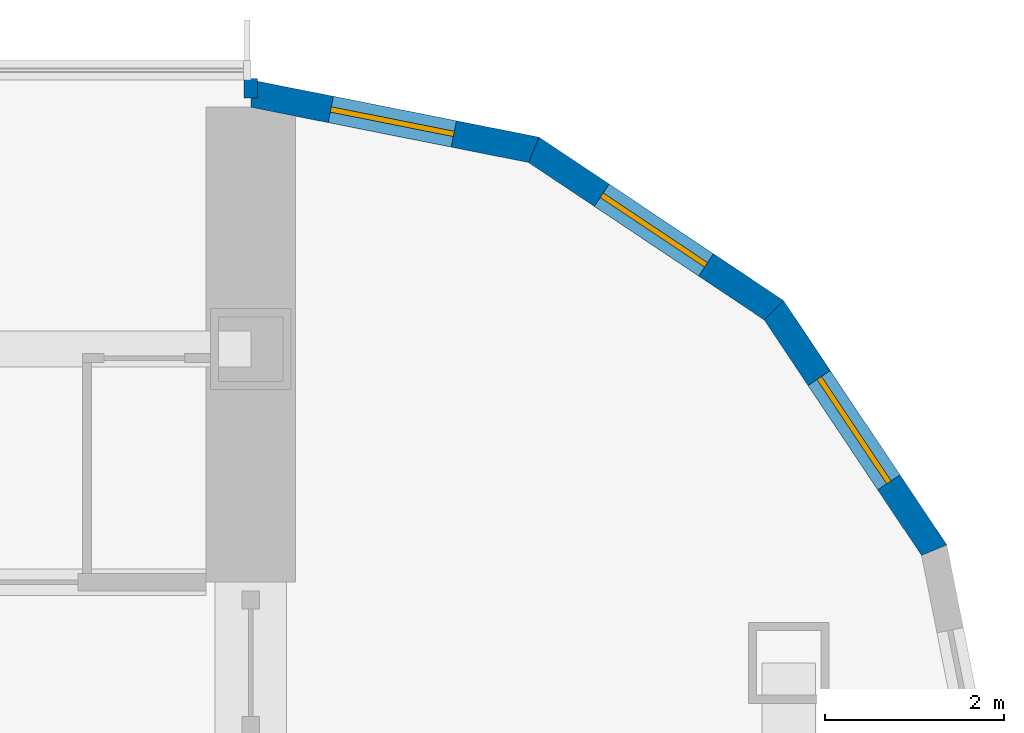
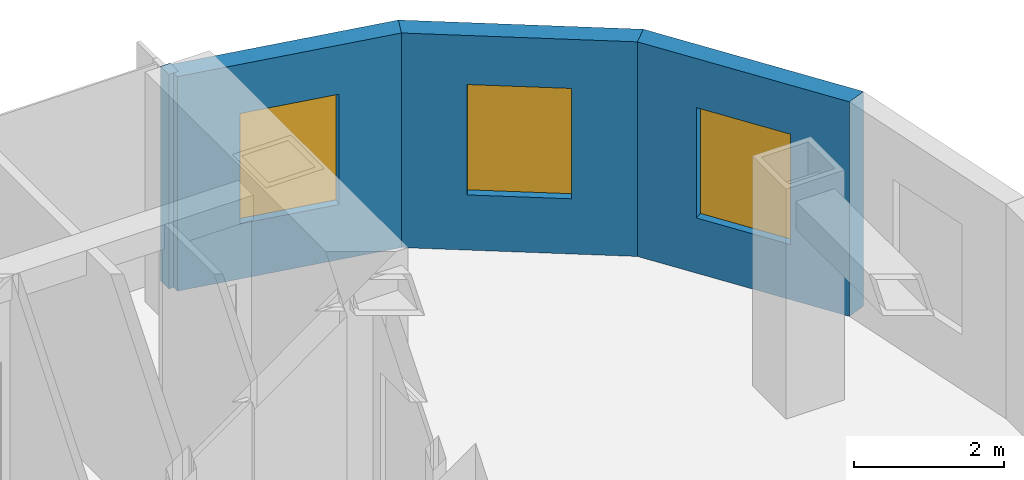
# One storey, part 21 of 28: 4 walls, 3 windows, 3 openings.
"""IFC4 building model written with IfcOpenShell, lengths in metres."""

from ifc_helpers import new_model, si_unit, direction, frame, frame_2d, origin, place, context, subcontext, project, spatial, polyline, rectangle, outline, extrude, material, layer, layer_set, type_object, element, fill, save


model = new_model("IFC4")

# Units and contexts
model_context = context("Model", 3, precision=1e-05, world=origin(), true_north=direction((0.0, 1.0)))
body_context = subcontext(model_context, "Body", "Model", "MODEL_VIEW")
ifc_project = project(units=[si_unit("LENGTHUNIT", "METRE"), si_unit("AREAUNIT", "SQUARE_METRE"), si_unit("VOLUMEUNIT", "CUBIC_METRE"), si_unit("PLANEANGLEUNIT", "RADIAN"), si_unit("MASSUNIT", "GRAM", prefix="KILO")], contexts=[model_context])

# Site, building, storey
site_placement = place(None, origin())
site = spatial("IfcSite", under=ifc_project, at=site_placement, CompositionType="ELEMENT")
building_placement = place(site_placement, origin())
building = spatial("IfcBuilding", under=site, at=building_placement, Name="Orbita Commons", CompositionType="ELEMENT")
storey_placement = place(building_placement, frame((0.0, 0.0, 23.949951171875)))
storey = spatial("IfcBuildingStorey", under=building, at=storey_placement, Name="L05", CompositionType="ELEMENT", Elevation=23.949951171875)

# Wall
ifc_material_1 = material(Name="Gypsum plasterboard on steel studs", Category="steel")
ifc_layer_1 = layer(ifc_material_1, 0.14990234375)
ifc_layer_set_1 = layer_set([ifc_layer_1], Name="Gypsum plasterboard on steel studs")
wall_type_1 = type_object("IfcWallType", Name="Partition 150 plasterboard", PredefinedType="PARTITIONING", material=ifc_layer_set_1)
wall_1_placement = place(storey_placement, frame((72.0, 56.39990234375, 0.0), z_axis=(0.0, 0.0, 1.0), x_axis=(0.0, 1.0, 0.0)))
element("IfcWall", 1, at=wall_1_placement, inside=storey, type_object=wall_type_1, Name="Partition 150 plasterboard L05", PredefinedType="PARTITIONING", context=body_context, shape_type="SweptSolid", body=[
    extrude(rectangle(XDim=0.22021484375, YDim=0.14990234375, at=frame_2d((0.110107421875, 0.0))), origin(), (0.0, 0.0, 1.0), 3.5),
])

# Wall, opening, window
ifc_material_2 = material(Name="Precast concrete C40/50, white board-marked finish", Category="concrete")
ifc_layer_2 = layer(ifc_material_2, 0.300048828125)
ifc_layer_set_2 = layer_set([ifc_layer_2], Name="Precast concrete C40/50, white board-marked finish")
wall_type_2 = type_object("IfcWallType", Name="Precast concrete end shield 300", PredefinedType="SOLIDWALL", material=ifc_layer_set_2)
wall_2_placement = place(storey_placement, frame((79.6220703125, 51.357177734375, 0.0), z_axis=(0.0, 0.0, 1.0), x_axis=(-0.555609954424, 0.831443069936, 0.0)))
wall_2 = element("IfcWall", 2, at=wall_2_placement, inside=storey, type_object=wall_type_2, Name="End shield NE chord 2 L05", PredefinedType="SOLIDWALL", context=body_context, shape_type="SweptSolid", body=[
    extrude(outline(polyline([(-0.02978515625, -0.14990234375), (3.2490234375, -0.14990234375), (3.189453125, 0.14990234375), (0.02978515625, 0.14990234375), (-0.02978515625, -0.14990234375)])), origin(), (0.0, 0.0, 1.0), 3.5),
])
opening_1_placement = place(wall_2_placement, frame((0.909423828125, 0.0, 0.89990234375)))
opening_1 = element("IfcOpeningElement", 3, at=opening_1_placement, cuts=wall_2, Name="Opening W02", PredefinedType="OPENING", context=body_context, shape_type="SweptSolid", body=[
    extrude(rectangle(XDim=1.39990234375, YDim=1.800048828125, at=frame_2d((0.699951171875, 0.89990234375))), frame((0.0, 0.159912109375, 0.0), z_axis=(0.0, -1.0, 0.0), x_axis=(1.0, 0.0, 0.0)), (0.0, 0.0, 1.0), 0.320068359375),
])
ifc_material_3 = material(Name="Aluminium frame, clear double glazing", Category="aluminium")
window_type = type_object("IfcWindowType", Name="Deep-set window 1400x1800", PartitioningType="SINGLE_PANEL", PredefinedType="WINDOW", material=ifc_material_3)
window_1_placement = place(opening_1_placement, origin())
window_1 = element("IfcWindow", 4, at=window_1_placement, inside=storey, type_object=window_type, Name="Window L05-NE1", OverallHeight=1.800048828125, OverallWidth=1.39990234375, PartitioningType="SINGLE_PANEL", PredefinedType="WINDOW", context=body_context, shape_type="SweptSolid", body=[
    extrude(rectangle(XDim=1.39990234375, YDim=1.800048828125, at=frame_2d((0.699951171875, 0.89990234375))), frame((0.0, 0.030029296875, 0.0), z_axis=(0.0, -1.0, 0.0), x_axis=(1.0, 0.0, 0.0)), (0.0, 0.0, 1.0), 0.06005859375),
])
fill(opening_1, window_1)

wall_3_placement = place(storey_placement, frame((77.83349609375, 54.03369140625, 0.0), z_axis=(0.0, 0.0, 1.0), x_axis=(-0.831478105043, 0.555557522525, 0.0)))
wall_3 = element("IfcWall", 5, at=wall_3_placement, inside=storey, type_object=wall_type_2, Name="End shield NE chord 3 L05", PredefinedType="SOLIDWALL", context=body_context, shape_type="SweptSolid", body=[
    extrude(outline(polyline([(-0.02978515625, -0.14990234375), (3.248779296875, -0.14990234375), (3.189208984375, 0.14990234375), (0.02978515625, 0.14990234375), (-0.02978515625, -0.14990234375)])), origin(), (0.0, 0.0, 1.0), 3.5),
])
opening_2_placement = place(wall_3_placement, frame((0.909423828125, 0.0, 0.89990234375)))
opening_2 = element("IfcOpeningElement", 6, at=opening_2_placement, cuts=wall_3, Name="Opening W02", PredefinedType="OPENING", context=body_context, shape_type="SweptSolid", body=[
    extrude(rectangle(XDim=1.39990234375, YDim=1.800048828125, at=frame_2d((0.699951171875, 0.89990234375))), frame((0.0, 0.159912109375, 0.0), z_axis=(0.0, -1.0, 0.0), x_axis=(1.0, 0.0, 0.0)), (0.0, 0.0, 1.0), 0.320068359375),
])
window_2_placement = place(opening_2_placement, origin())
window_2 = element("IfcWindow", 7, at=window_2_placement, inside=storey, type_object=window_type, Name="Window L05-NE2", OverallHeight=1.800048828125, OverallWidth=1.39990234375, PartitioningType="SINGLE_PANEL", PredefinedType="WINDOW", context=body_context, shape_type="SweptSolid", body=[
    extrude(rectangle(XDim=1.39990234375, YDim=1.800048828125, at=frame_2d((0.699951171875, 0.89990234375))), frame((0.0, 0.030029296875, 0.0), z_axis=(0.0, -1.0, 0.0), x_axis=(1.0, 0.0, 0.0)), (0.0, 0.0, 1.0), 0.06005859375),
])
fill(opening_2, window_2)

wall_4_placement = place(storey_placement, frame((75.156982421875, 55.822021484375, 0.0), z_axis=(0.0, 0.0, 1.0), x_axis=(-0.980787251524, 0.195080412259, 0.0)))
wall_4 = element("IfcWall", 8, at=wall_4_placement, inside=storey, type_object=wall_type_2, Name="End shield NE chord 4 L05", PredefinedType="SOLIDWALL", context=body_context, shape_type="SweptSolid", body=[
    extrude(outline(polyline([(-0.02978515625, -0.14990234375), (3.24853515625, -0.14990234375), (3.18896484375, 0.14990234375), (0.02978515625, 0.14990234375), (-0.02978515625, -0.14990234375)])), origin(), (0.0, 0.0, 1.0), 3.5),
])
opening_3_placement = place(wall_4_placement, frame((0.909423828125, 0.0, 0.89990234375)))
opening_3 = element("IfcOpeningElement", 9, at=opening_3_placement, cuts=wall_4, Name="Opening W02", PredefinedType="OPENING", context=body_context, shape_type="SweptSolid", body=[
    extrude(rectangle(XDim=1.39990234375, YDim=1.800048828125, at=frame_2d((0.699951171875, 0.89990234375))), frame((0.0, 0.159912109375, 0.0), z_axis=(0.0, -1.0, 0.0), x_axis=(1.0, 0.0, 0.0)), (0.0, 0.0, 1.0), 0.320068359375),
])
window_3_placement = place(opening_3_placement, origin())
window_3 = element("IfcWindow", 10, at=window_3_placement, inside=storey, type_object=window_type, Name="Window L05-NE3", OverallHeight=1.800048828125, OverallWidth=1.39990234375, PartitioningType="SINGLE_PANEL", PredefinedType="WINDOW", context=body_context, shape_type="SweptSolid", body=[
    extrude(rectangle(XDim=1.39990234375, YDim=1.800048828125, at=frame_2d((0.699951171875, 0.89990234375))), frame((0.0, 0.030029296875, 0.0), z_axis=(0.0, -1.0, 0.0), x_axis=(1.0, 0.0, 0.0)), (0.0, 0.0, 1.0), 0.06005859375),
])
fill(opening_3, window_3)

save(model, "model.ifc")
